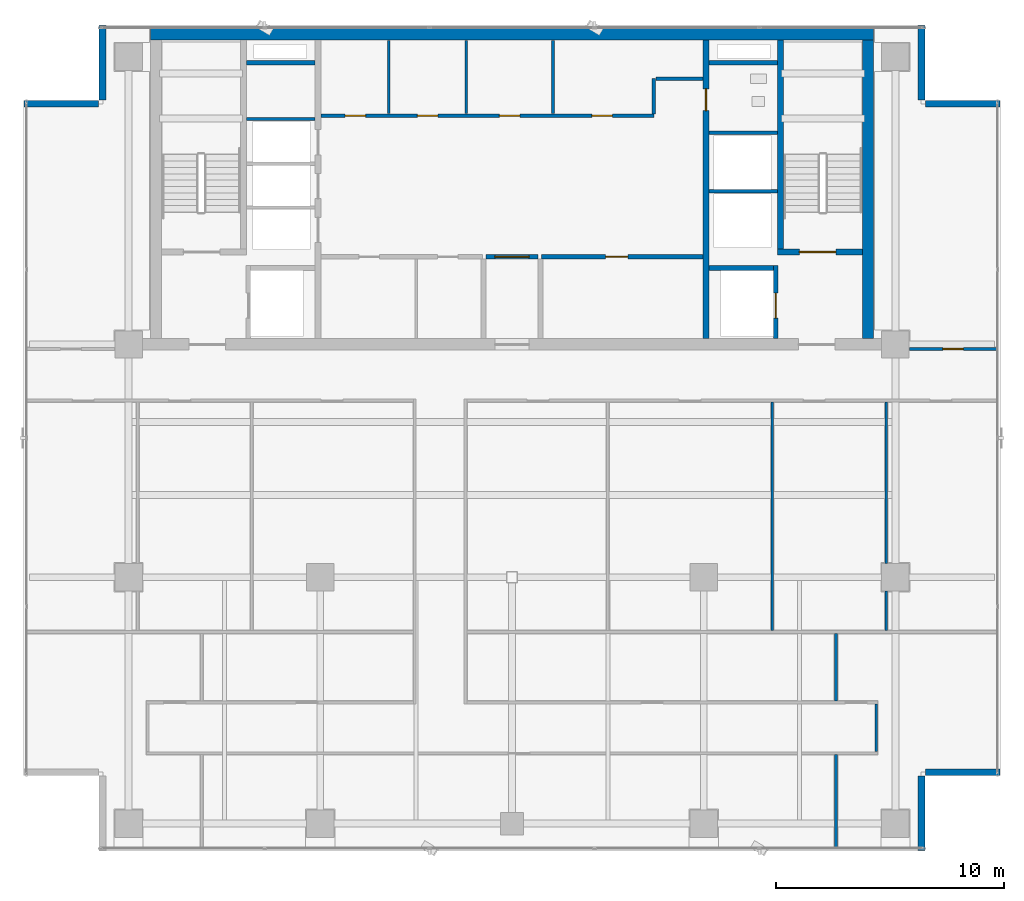
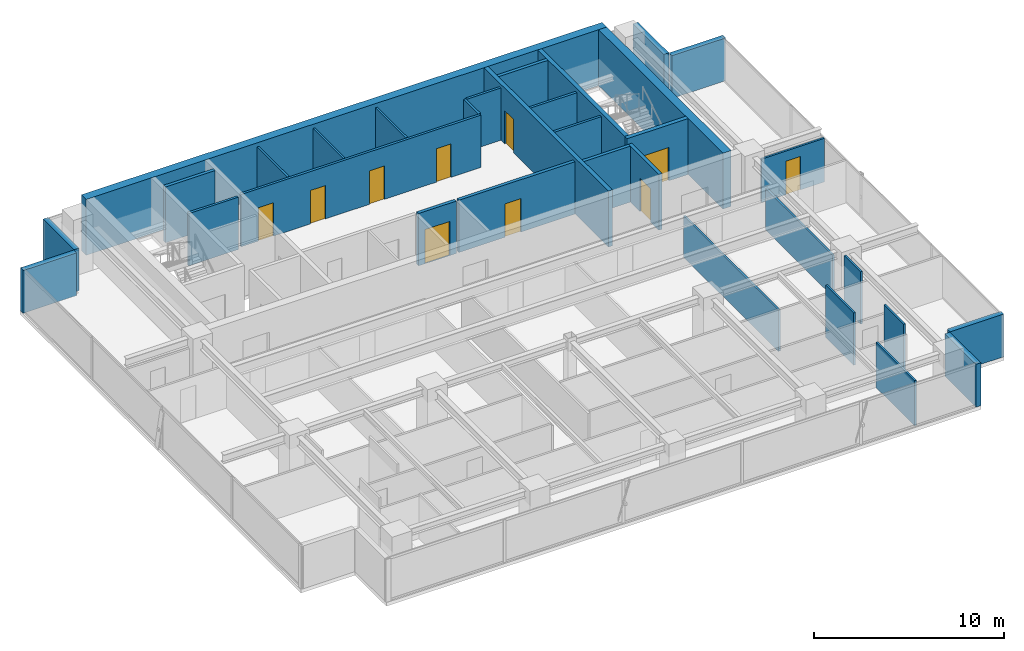
# One storey, part 17 of 23: 33 walls, 10 doors, 10 openings.
"""IFC4 building model written with IfcOpenShell, lengths in metres."""

from ifc_helpers import new_model, si_unit, direction, frame, frame_2d, origin, place, context, subcontext, project, spatial, rectangle, extrude, source, transform, mapped, material, layer, layer_set, type_object, element, fill, save


model = new_model("IFC4")

# Units and contexts
model_context = context("Model", 3, precision=1e-05, world=origin(), true_north=direction((0.0, 1.0)))
body_context = subcontext(model_context, "Body", "Model", "MODEL_VIEW")
ifc_project = project(units=[si_unit("LENGTHUNIT", "METRE"), si_unit("AREAUNIT", "SQUARE_METRE"), si_unit("VOLUMEUNIT", "CUBIC_METRE"), si_unit("PLANEANGLEUNIT", "RADIAN"), si_unit("MASSUNIT", "GRAM", prefix="KILO")], contexts=[model_context])

# Site, building, storey
site_placement = place(None, origin())
site = spatial("IfcSite", under=ifc_project, at=site_placement, CompositionType="ELEMENT")
building_placement = place(site_placement, origin())
building = spatial("IfcBuilding", under=site, at=building_placement, Name="Sumidabori Civic Tower", CompositionType="ELEMENT")
storey_placement = place(building_placement, frame((0.0, 0.0, 275.60009765625)))
storey = spatial("IfcBuildingStorey", under=building, at=storey_placement, Name="L72", CompositionType="ELEMENT", Elevation=275.60009765625)

# Walls
ifc_material_1 = material(Name="Concrete C50/60", Category="concrete")
ifc_layer_1 = layer(ifc_material_1, 0.199951171875, Name="Concrete C50/60")
ifc_layer_set_1 = layer_set([ifc_layer_1], Name="Concrete C50/60")
wall_type_1 = type_object("IfcWallType", Name="WL-SHAFT-200", PredefinedType="SHEAR", material=ifc_layer_set_1)
shared_shape_1 = source(origin(), body_context, "Body", "SweptSolid", [
    extrude(rectangle(XDim=2.824951171875, YDim=0.199951171875, at=frame_2d((1.41259765625, 0.0))), origin(), (0.0, 0.0, 1.0), 3.599853515625),
])
wall_1_placement = place(storey_placement, frame((8.625, 13.550048828125, 0.0), z_axis=(0.0, 0.0, 1.0), x_axis=(1.0, 0.0, 0.0)))
element("IfcWall", 1, at=wall_1_placement, inside=storey, type_object=wall_type_1, Name="Core Shear Wall L72 EL2-N", PredefinedType="SHEAR", context=body_context, shape_type="MappedRepresentation", body=[
    mapped(shared_shape_1, transform((0.0, 0.0, 0.0), x_axis=(1.0, 0.0, 0.0), y_axis=(0.0, 1.0, 0.0), z_axis=(0.0, 0.0, 1.0), scale=1.0)),
])
shared_shape_2 = source(origin(), body_context, "Body", "SweptSolid", [
    extrude(rectangle(XDim=3.02001953125, YDim=0.199951171875, at=frame_2d((1.510009765625, 0.0))), origin(), (0.0, 0.0, 1.0), 3.599853515625),
])
for number, where, z_axis, x_axis, name in (
    (2, (-11.64501953125, 22.550048828125, 0.0), (0.0, 0.0, 1.0), (1.0, 0.0, 0.0), "Core Shear Wall L72 RIS1-S"),
    (3, (8.625, 22.550048828125, 0.0), (0.0, 0.0, 1.0), (1.0, 0.0, 0.0), "Core Shear Wall L72 RIS2-S"),
):
    element("IfcWall", number, at=place(storey_placement, frame(where, z_axis=z_axis, x_axis=x_axis)), inside=storey, type_object=wall_type_1, Name=name, PredefinedType="SHEAR", context=body_context, shape_type="MappedRepresentation", body=[
        mapped(shared_shape_2, transform((0.0, 0.0, 0.0), x_axis=(1.0, 0.0, 0.0), y_axis=(0.0, 1.0, 0.0), z_axis=(0.0, 0.0, 1.0), scale=1.0)),
    ])
ifc_layer_2 = layer(ifc_material_1, 0.5, Name="Concrete C50/60")
ifc_layer_set_2 = layer_set([ifc_layer_2], Name="Concrete C50/60")
wall_type_2 = type_object("IfcWallType", Name="WL-CORE-500", PredefinedType="SHEAR", material=ifc_layer_set_2)
shared_shape_3 = source(origin(), body_context, "Body", "SweptSolid", [
    extrude(rectangle(XDim=31.7001953125, YDim=0.5, at=frame_2d((15.85009765625, 0.0))), origin(), (0.0, 0.0, 1.0), 3.599853515625),
])
wall_2_placement = place(storey_placement, frame((-15.85009765625, 23.800048828125, 0.0), z_axis=(0.0, 0.0, 1.0), x_axis=(1.0, 0.0, 0.0)))
element("IfcWall", 4, at=wall_2_placement, inside=storey, type_object=wall_type_2, Name="Core Shear Wall L72 N", PredefinedType="SHEAR", context=body_context, shape_type="MappedRepresentation", body=[
    mapped(shared_shape_3, transform((0.0, 0.0, 0.0), x_axis=(1.0, 0.0, 0.0), y_axis=(0.0, 1.0, 0.0), z_axis=(0.0, 0.0, 1.0), scale=1.0)),
])
shared_shape_4 = source(origin(), body_context, "Body", "SweptSolid", [
    extrude(rectangle(XDim=13.10009765625, YDim=0.5, at=frame_2d((6.550048828125, 0.0))), origin(), (0.0, 0.0, 1.0), 3.599853515625),
])
wall_3_placement = place(storey_placement, frame((15.60009765625, 10.449951171875, 0.0), z_axis=(0.0, 0.0, 1.0), x_axis=(0.0, 1.0, 0.0)))
element("IfcWall", 5, at=wall_3_placement, inside=storey, type_object=wall_type_2, Name="Core Shear Wall L72 E", PredefinedType="SHEAR", context=body_context, shape_type="MappedRepresentation", body=[
    mapped(shared_shape_4, transform((0.0, 0.0, 0.0), x_axis=(1.0, 0.0, 0.0), y_axis=(0.0, 1.0, 0.0), z_axis=(0.0, 0.0, 1.0), scale=1.0)),
])

# Wall, opening, door
ifc_layer_3 = layer(ifc_material_1, 0.25, Name="Concrete C50/60")
ifc_layer_set_3 = layer_set([ifc_layer_3], Name="Concrete C50/60")
wall_type_3 = type_object("IfcWallType", Name="WL-SHAFT-250", PredefinedType="SHEAR", material=ifc_layer_set_3)
shared_shape_5 = source(origin(), body_context, "Body", "SweptSolid", [
    extrude(rectangle(XDim=13.10009765625, YDim=0.25, at=frame_2d((6.550048828125, 0.0))), origin(), (0.0, 0.0, 1.0), 3.599853515625),
])
wall_4_placement = place(storey_placement, frame((8.5, 10.449951171875, 0.0), z_axis=(0.0, 0.0, 1.0), x_axis=(0.0, 1.0, 0.0)))
wall_4 = element("IfcWall", 6, at=wall_4_placement, inside=storey, type_object=wall_type_3, Name="Core Shear Wall L72 WEB-E", PredefinedType="SHEAR", context=body_context, shape_type="MappedRepresentation", body=[
    mapped(shared_shape_5, transform((0.0, 0.0, 0.0), x_axis=(1.0, 0.0, 0.0), y_axis=(0.0, 1.0, 0.0), z_axis=(0.0, 0.0, 1.0), scale=1.0)),
])
opening_1_placement = place(wall_4_placement, frame((10.0, 0.0, 0.0)))
opening_1 = element("IfcOpeningElement", 7, at=opening_1_placement, cuts=wall_4, Name="Opening DR-2", PredefinedType="OPENING", context=body_context, shape_type="SweptSolid", body=[
    extrude(rectangle(XDim=0.949951171875, YDim=2.14990234375, at=frame_2d((0.47509765625, 1.074951171875))), frame((0.0, 0.136962890625, 0.0), z_axis=(0.0, -1.0, 0.0), x_axis=(1.0, 0.0, 0.0)), (0.0, 0.0, 1.0), 0.27392578125),
])
ifc_material_2 = material(Name="Japanese Hinoki Timber", Category="wood")
door_type_1 = type_object("IfcDoorType", Name="DR-INT-950", OperationType="NOTDEFINED", PredefinedType="DOOR", material=ifc_material_2)
shared_shape_6 = source(origin(), body_context, "Body", "SweptSolid", [
    extrude(rectangle(XDim=0.949951171875, YDim=2.14990234375, at=frame_2d((0.47509765625, 1.074951171875))), frame((0.0, 0.02490234375, 0.0), z_axis=(0.0, -1.0, 0.0), x_axis=(1.0, 0.0, 0.0)), (0.0, 0.0, 1.0), 0.050048828125),
])
door_1_placement = place(opening_1_placement, origin())
door_1 = element("IfcDoor", 8, at=door_1_placement, inside=storey, type_object=door_type_1, Name="Door DR:L72:WC-ACC", OperationType="SINGLE_SWING_RIGHT", OverallHeight=2.14990234375, OverallWidth=0.949951171875, PredefinedType="DOOR", context=body_context, shape_type="MappedRepresentation", body=[
    mapped(shared_shape_6, transform((0.0, 0.0, 0.0), x_axis=(1.0, 0.0, 0.0), y_axis=(0.0, 1.0, 0.0), z_axis=(0.0, 0.0, 1.0), scale=1.0)),
])
fill(opening_1, door_1)

shared_shape_7 = source(origin(), body_context, "Body", "SweptSolid", [
    extrude(rectangle(XDim=3.705078125, YDim=0.25, at=frame_2d((1.8525390625, 0.0))), origin(), (0.0, 0.0, 1.0), 3.599853515625),
])
wall_5_placement = place(storey_placement, frame((11.64501953125, 14.25, 0.0), z_axis=(0.0, 0.0, 1.0), x_axis=(1.0, 0.0, 0.0)))
wall_5 = element("IfcWall", 9, at=wall_5_placement, inside=storey, type_object=wall_type_3, Name="Core Shear Wall L72 ST2-S", PredefinedType="SHEAR", context=body_context, shape_type="MappedRepresentation", body=[
    mapped(shared_shape_7, transform((0.0, 0.0, 0.0), x_axis=(1.0, 0.0, 0.0), y_axis=(0.0, 1.0, 0.0), z_axis=(0.0, 0.0, 1.0), scale=1.0)),
])
opening_2_placement = place(wall_5_placement, frame((0.949951171875, 0.0, 0.0)))
opening_2 = element("IfcOpeningElement", 10, at=opening_2_placement, cuts=wall_5, Name="Opening DR-FD4", PredefinedType="OPENING", context=body_context, shape_type="SweptSolid", body=[
    extrude(rectangle(XDim=1.60009765625, YDim=2.14990234375, at=frame_2d((0.800048828125, 1.074951171875))), frame((0.0, 0.136962890625, 0.0), z_axis=(0.0, -1.0, 0.0), x_axis=(1.0, 0.0, 0.0)), (0.0, 0.0, 1.0), 0.27392578125),
])
ifc_material_3 = material(Name="Steel SN490", Category="steel")
door_type_2 = type_object("IfcDoorType", Name="DR-FD4", OperationType="DOUBLE_DOOR_SINGLE_SWING", PredefinedType="DOOR", material=ifc_material_3)
shared_shape_8 = source(origin(), body_context, "Body", "SweptSolid", [
    extrude(rectangle(XDim=1.60009765625, YDim=2.14990234375, at=frame_2d((0.800048828125, 1.074951171875))), frame((0.0, 0.02490234375, 0.0), z_axis=(0.0, -1.0, 0.0), x_axis=(1.0, 0.0, 0.0)), (0.0, 0.0, 1.0), 0.050048828125),
])
door_2_placement = place(opening_2_placement, origin())
door_2 = element("IfcDoor", 11, at=door_2_placement, inside=storey, type_object=door_type_2, Name="Door DR:L72:ST2", OperationType="DOUBLE_DOOR_SINGLE_SWING", OverallHeight=2.14990234375, OverallWidth=1.60009765625, PredefinedType="DOOR", context=body_context, shape_type="MappedRepresentation", body=[
    mapped(shared_shape_8, transform((0.0, 0.0, 0.0), x_axis=(1.0, 0.0, 0.0), y_axis=(0.0, 1.0, 0.0), z_axis=(0.0, 0.0, 1.0), scale=1.0)),
])
fill(opening_2, door_2)

# Wall
shared_shape_9 = source(origin(), body_context, "Body", "SweptSolid", [
    extrude(rectangle(XDim=9.175048828125, YDim=0.25, at=frame_2d((4.58740234375, 0.0))), origin(), (0.0, 0.0, 1.0), 3.599853515625),
])
wall_6_placement = place(storey_placement, frame((11.77001953125, 14.375, 0.0), z_axis=(0.0, 0.0, 1.0), x_axis=(0.0, 1.0, 0.0)))
element("IfcWall", 12, at=wall_6_placement, inside=storey, type_object=wall_type_3, Name="Core Shear Wall L72 ST2-W", PredefinedType="SHEAR", context=body_context, shape_type="MappedRepresentation", body=[
    mapped(shared_shape_9, transform((0.0, 0.0, 0.0), x_axis=(1.0, 0.0, 0.0), y_axis=(0.0, 1.0, 0.0), z_axis=(0.0, 0.0, 1.0), scale=1.0)),
])

# Wall, opening, door
shared_shape_10 = source(origin(), body_context, "Body", "SweptSolid", [
    extrude(rectangle(XDim=3.199951171875, YDim=0.199951171875, at=frame_2d((1.60009765625, 0.0))), origin(), (0.0, 0.0, 1.0), 3.599853515625),
])
wall_7_placement = place(storey_placement, frame((11.550048828125, 10.449951171875, 0.0), z_axis=(0.0, 0.0, 1.0), x_axis=(0.0, 1.0, 0.0)))
wall_7 = element("IfcWall", 13, at=wall_7_placement, inside=storey, type_object=wall_type_1, Name="Core Shear Wall L72 EL2-E", PredefinedType="SHEAR", context=body_context, shape_type="MappedRepresentation", body=[
    mapped(shared_shape_10, transform((0.0, 0.0, 0.0), x_axis=(1.0, 0.0, 0.0), y_axis=(0.0, 1.0, 0.0), z_axis=(0.0, 0.0, 1.0), scale=1.0)),
])
opening_3_placement = place(wall_7_placement, frame((0.89990234375, 0.0, 0.0)))
opening_3 = element("IfcOpeningElement", 14, at=opening_3_placement, cuts=wall_7, Name="Opening LD-2", PredefinedType="OPENING", context=body_context, shape_type="SweptSolid", body=[
    extrude(rectangle(XDim=1.10009765625, YDim=2.14990234375, at=frame_2d((0.550048828125, 1.074951171875))), frame((0.0, 0.11181640625, 0.0), z_axis=(0.0, -1.0, 0.0), x_axis=(1.0, 0.0, 0.0)), (0.0, 0.0, 1.0), 0.223876953125),
])
ifc_material_4 = material(Name="Stainless Steel Hairline Finish", Category="steel")
door_type_3 = type_object("IfcDoorType", Name="DR-LD2", OperationType="DOUBLE_DOOR_SLIDING", PredefinedType="DOOR", material=ifc_material_4)
shared_shape_11 = source(origin(), body_context, "Body", "SweptSolid", [
    extrude(rectangle(XDim=1.10009765625, YDim=2.14990234375, at=frame_2d((0.550048828125, 1.074951171875))), frame((0.0, 0.02490234375, 0.0), z_axis=(0.0, -1.0, 0.0), x_axis=(1.0, 0.0, 0.0)), (0.0, 0.0, 1.0), 0.050048828125),
])
door_3_placement = place(opening_3_placement, origin())
door_3 = element("IfcDoor", 15, at=door_3_placement, inside=storey, type_object=door_type_3, Name="Door DR:L72:LD-EL2", OperationType="DOUBLE_DOOR_SLIDING", OverallHeight=2.14990234375, OverallWidth=1.10009765625, PredefinedType="DOOR", context=body_context, shape_type="MappedRepresentation", body=[
    mapped(shared_shape_11, transform((0.0, 0.0, 0.0), x_axis=(1.0, 0.0, 0.0), y_axis=(0.0, 1.0, 0.0), z_axis=(0.0, 0.0, 1.0), scale=1.0)),
])
fill(opening_3, door_3)

# Walls
ifc_material_5 = material(Name="Precast concrete C40/50", Category="concrete")
ifc_layer_4 = layer(ifc_material_5, 0.300048828125, Name="Precast concrete C40/50")
ifc_layer_set_4 = layer_set([ifc_layer_4], Name="Precast concrete C40/50")
wall_type_4 = type_object("IfcWallType", Name="WL-EXT-POD300", PredefinedType="STANDARD", material=ifc_layer_set_4)
shared_shape_12 = source(origin(), body_context, "Body", "SweptSolid", [
    extrude(rectangle(XDim=3.260009765625, YDim=0.300048828125, at=frame_2d((1.6298828125, 0.0))), origin(), (0.0, 0.0, 1.0), 2.75),
])
for number, where, z_axis, x_axis, name in (
    (16, (17.949951171875, -11.97998046875, 0.0), (0.0, 0.0, 1.0), (0.0, 1.0, 0.0), "Notched Corner Spandrel Band L72-02"),
    (17, (17.949951171875, 20.919921875, 0.0), (0.0, 0.0, 1.0), (0.0, 1.0, 0.0), "Notched Corner Spandrel Band L72-06"),
    (18, (-17.949951171875, 24.179931640625, 0.0), (0.0, 0.0, 1.0), (0.0, -1.0, 0.0), "Notched Corner Spandrel Band L72-08"),
):
    element("IfcWall", number, at=place(storey_placement, frame(where, z_axis=z_axis, x_axis=x_axis)), inside=storey, type_object=wall_type_4, Name=name, PredefinedType="STANDARD", context=body_context, shape_type="MappedRepresentation", body=[
        mapped(shared_shape_12, transform((0.0, 0.0, 0.0), x_axis=(1.0, 0.0, 0.0), y_axis=(0.0, 1.0, 0.0), z_axis=(0.0, 0.0, 1.0), scale=1.0)),
    ])
shared_shape_13 = source(origin(), body_context, "Body", "SweptSolid", [
    extrude(rectangle(XDim=3.259765625, YDim=0.300048828125, at=frame_2d((1.6298828125, 0.0))), origin(), (0.0, 0.0, 1.0), 2.75),
])
for number, where, z_axis, x_axis, name in (
    (19, (18.1201171875, -8.550048828125, 0.0), (0.0, 0.0, 1.0), (1.0, 0.0, 0.0), "Notched Corner Spandrel Band L72-03"),
    (20, (21.3798828125, 20.75, 0.0), (0.0, 0.0, 1.0), (-1.0, 0.0, 0.0), "Notched Corner Spandrel Band L72-05"),
    (21, (-18.1201171875, 20.75, 0.0), (0.0, 0.0, 1.0), (-1.0, 0.0, 0.0), "Notched Corner Spandrel Band L72-09"),
):
    element("IfcWall", number, at=place(storey_placement, frame(where, z_axis=z_axis, x_axis=x_axis)), inside=storey, type_object=wall_type_4, Name=name, PredefinedType="STANDARD", context=body_context, shape_type="MappedRepresentation", body=[
        mapped(shared_shape_13, transform((0.0, 0.0, 0.0), x_axis=(1.0, 0.0, 0.0), y_axis=(0.0, 1.0, 0.0), z_axis=(0.0, 0.0, 1.0), scale=1.0)),
    ])
ifc_material_6 = material(Name="Gypsum Plasterboard Acoustic Partition")
ifc_layer_5 = layer(ifc_material_6, 0.14990234375, Name="Gypsum Plasterboard Acoustic Partition")
ifc_layer_set_5 = layer_set([ifc_layer_5], Name="Gypsum Plasterboard Acoustic Partition")
wall_type_5 = type_object("IfcWallType", Name="WL-PART-150", PredefinedType="PARTITIONING", material=ifc_layer_set_5)
shared_shape_14 = source(origin(), body_context, "Body", "SweptSolid", [
    extrude(rectangle(XDim=3.010009765625, YDim=0.14990234375, at=frame_2d((1.5048828125, 0.0))), origin(), (0.0, 0.0, 1.0), 3.369873046875),
])
for number, where, z_axis, x_axis, name in (
    (22, (-11.639892578125, 20.080078125, 0.0), (0.0, 0.0, 1.0), (1.0, 0.0, 0.0), "Interior Partition WL:L72:DIV-PLH3"),
    (23, (8.6298828125, 16.919921875, 0.0), (0.0, 0.0, 1.0), (1.0, 0.0, 0.0), "Interior Partition WL:L72:DIV-OBS1"),
    (24, (8.6298828125, 19.469970703125, 0.0), (0.0, 0.0, 1.0), (1.0, 0.0, 0.0), "Interior Partition WL:L72:DIV-OBS2"),
):
    element("IfcWall", number, at=place(storey_placement, frame(where, z_axis=z_axis, x_axis=x_axis)), inside=storey, type_object=wall_type_5, Name=name, PredefinedType="PARTITIONING", context=body_context, shape_type="MappedRepresentation", body=[
        mapped(shared_shape_14, transform((0.0, 0.0, 0.0), x_axis=(1.0, 0.0, 0.0), y_axis=(0.0, 1.0, 0.0), z_axis=(0.0, 0.0, 1.0), scale=1.0)),
    ])

# Wall, opening, door
ifc_material_7 = material(Name="Gypsum Plasterboard Fire Partition")
ifc_layer_6 = layer(ifc_material_7, 0.199951171875, Name="Gypsum Plasterboard Fire Partition")
ifc_layer_set_6 = layer_set([ifc_layer_6], Name="Gypsum Plasterboard Fire Partition")
wall_type_6 = type_object("IfcWallType", Name="WL-PART-FIRE", PredefinedType="PARTITIONING", material=ifc_layer_set_6)
shared_shape_15 = source(origin(), body_context, "Body", "SweptSolid", [
    extrude(rectangle(XDim=7.070068359375, YDim=0.199951171875, at=frame_2d((3.53515625, 0.0))), origin(), (0.0, 0.0, 1.0), 3.369873046875),
])
wall_8_placement = place(storey_placement, frame((1.300048828125, 14.050048828125, 0.0), z_axis=(0.0, 0.0, 1.0), x_axis=(1.0, 0.0, 0.0)))
wall_8 = element("IfcWall", 25, at=wall_8_placement, inside=storey, type_object=wall_type_6, Name="Interior Partition WL:L72:CBAND-SE", PredefinedType="PARTITIONING", context=body_context, shape_type="MappedRepresentation", body=[
    mapped(shared_shape_15, transform((0.0, 0.0, 0.0), x_axis=(1.0, 0.0, 0.0), y_axis=(0.0, 1.0, 0.0), z_axis=(0.0, 0.0, 1.0), scale=1.0)),
])
opening_4_placement = place(wall_8_placement, frame((2.800048828125, 0.0, 0.0)))
opening_4 = element("IfcOpeningElement", 26, at=opening_4_placement, cuts=wall_8, Name="Opening DR-3", PredefinedType="OPENING", context=body_context, shape_type="SweptSolid", body=[
    extrude(rectangle(XDim=0.97998046875, YDim=2.14990234375, at=frame_2d((0.489990234375, 1.074951171875))), frame((0.0, 0.11181640625, 0.0), z_axis=(0.0, -1.0, 0.0), x_axis=(1.0, 0.0, 0.0)), (0.0, 0.0, 1.0), 0.223876953125),
])
door_type_4 = type_object("IfcDoorType", Name="DR-INT-980", OperationType="NOTDEFINED", PredefinedType="DOOR", material=ifc_material_2)
shared_shape_16 = source(origin(), body_context, "Body", "SweptSolid", [
    extrude(rectangle(XDim=0.97998046875, YDim=2.14990234375, at=frame_2d((0.489990234375, 1.074951171875))), frame((0.0, 0.02490234375, 0.0), z_axis=(0.0, -1.0, 0.0), x_axis=(1.0, 0.0, 0.0)), (0.0, 0.0, 1.0), 0.050048828125),
])
door_4_placement = place(opening_4_placement, origin())
door_4 = element("IfcDoor", 27, at=door_4_placement, inside=storey, type_object=door_type_4, Name="Door DR:L72:REC-B2", OperationType="SINGLE_SWING_RIGHT", OverallHeight=2.14990234375, OverallWidth=0.97998046875, PredefinedType="DOOR", context=body_context, shape_type="MappedRepresentation", body=[
    mapped(shared_shape_16, transform((0.0, 0.0, 0.0), x_axis=(1.0, 0.0, 0.0), y_axis=(0.0, 1.0, 0.0), z_axis=(0.0, 0.0, 1.0), scale=1.0)),
])
fill(opening_4, door_4)

shared_shape_17 = source(origin(), body_context, "Body", "SweptSolid", [
    extrude(rectangle(XDim=2.2998046875, YDim=0.199951171875, at=frame_2d((1.14990234375, 0.0))), origin(), (0.0, 0.0, 1.0), 3.369873046875),
])
wall_9_placement = place(storey_placement, frame((-1.14990234375, 14.050048828125, 0.0), z_axis=(0.0, 0.0, 1.0), x_axis=(1.0, 0.0, 0.0)))
wall_9 = element("IfcWall", 28, at=wall_9_placement, inside=storey, type_object=wall_type_6, Name="Interior Partition WL:L72:THROAT-N", PredefinedType="PARTITIONING", context=body_context, shape_type="MappedRepresentation", body=[
    mapped(shared_shape_17, transform((0.0, 0.0, 0.0), x_axis=(1.0, 0.0, 0.0), y_axis=(0.0, 1.0, 0.0), z_axis=(0.0, 0.0, 1.0), scale=1.0)),
])
opening_5_placement = place(wall_9_placement, frame((0.39990234375, 0.0, 0.0)))
opening_5 = element("IfcOpeningElement", 29, at=opening_5_placement, cuts=wall_9, Name="Opening DR-FD3", PredefinedType="OPENING", context=body_context, shape_type="SweptSolid", body=[
    extrude(rectangle(XDim=1.5, YDim=2.199951171875, at=frame_2d((0.75, 1.10009765625))), frame((0.0, 0.11181640625, 0.0), z_axis=(0.0, -1.0, 0.0), x_axis=(1.0, 0.0, 0.0)), (0.0, 0.0, 1.0), 0.223876953125),
])
door_type_5 = type_object("IfcDoorType", Name="DR-FD-DBL", OperationType="DOUBLE_DOOR_SINGLE_SWING", PredefinedType="DOOR", material=ifc_material_3)
shared_shape_18 = source(origin(), body_context, "Body", "SweptSolid", [
    extrude(rectangle(XDim=1.5, YDim=2.199951171875, at=frame_2d((0.75, 1.10009765625))), frame((0.0, 0.02490234375, 0.0), z_axis=(0.0, -1.0, 0.0), x_axis=(1.0, 0.0, 0.0)), (0.0, 0.0, 1.0), 0.050048828125),
])
door_5_placement = place(opening_5_placement, origin())
door_5 = element("IfcDoor", 30, at=door_5_placement, inside=storey, type_object=door_type_5, Name="Door DR:L72:THROAT-IN", OperationType="DOUBLE_DOOR_SINGLE_SWING", OverallHeight=2.199951171875, OverallWidth=1.5, PredefinedType="DOOR", context=body_context, shape_type="MappedRepresentation", body=[
    mapped(shared_shape_18, transform((0.0, 0.0, 0.0), x_axis=(1.0, 0.0, 0.0), y_axis=(0.0, 1.0, 0.0), z_axis=(0.0, 0.0, 1.0), scale=1.0)),
])
fill(opening_5, door_5)

# Wall, openings, doors
shared_shape_19 = source(origin(), body_context, "Body", "SweptSolid", [
    extrude(rectangle(XDim=14.590087890625, YDim=0.14990234375, at=frame_2d((7.294921875, 0.0))), origin(), (0.0, 0.0, 1.0), 3.369873046875),
])
wall_10_placement = place(storey_placement, frame((-8.3701171875, 20.219970703125, 0.0), z_axis=(0.0, 0.0, 1.0), x_axis=(1.0, 0.0, 0.0)))
wall_10 = element("IfcWall", 31, at=wall_10_placement, inside=storey, type_object=wall_type_5, Name="Interior Partition WL:L72:CBAND-M", PredefinedType="PARTITIONING", context=body_context, shape_type="MappedRepresentation", body=[
    mapped(shared_shape_19, transform((0.0, 0.0, 0.0), x_axis=(1.0, 0.0, 0.0), y_axis=(0.0, 1.0, 0.0), z_axis=(0.0, 0.0, 1.0), scale=1.0)),
])
opening_6_placement = place(wall_10_placement, frame((1.06005859375, 0.0, 0.0)))
opening_6 = element("IfcOpeningElement", 32, at=opening_6_placement, cuts=wall_10, Name="Opening DR-1", PredefinedType="OPENING", context=body_context, shape_type="SweptSolid", body=[
    extrude(rectangle(XDim=0.89990234375, YDim=2.14990234375, at=frame_2d((0.449951171875, 1.074951171875))), frame((0.0, 0.0869140625, 0.0), z_axis=(0.0, -1.0, 0.0), x_axis=(1.0, 0.0, 0.0)), (0.0, 0.0, 1.0), 0.173828125),
])
opening_7_placement = place(wall_10_placement, frame((4.219970703125, 0.0, 0.0)))
opening_7 = element("IfcOpeningElement", 33, at=opening_7_placement, cuts=wall_10, Name="Opening DR-1", PredefinedType="OPENING", context=body_context, shape_type="SweptSolid", body=[
    extrude(rectangle(XDim=0.89990234375, YDim=2.14990234375, at=frame_2d((0.449951171875, 1.074951171875))), frame((0.0, 0.0869140625, 0.0), z_axis=(0.0, -1.0, 0.0), x_axis=(1.0, 0.0, 0.0)), (0.0, 0.0, 1.0), 0.173828125),
])
opening_8_placement = place(wall_10_placement, frame((7.820068359375, 0.0, 0.0)))
opening_8 = element("IfcOpeningElement", 34, at=opening_8_placement, cuts=wall_10, Name="Opening DR-1", PredefinedType="OPENING", context=body_context, shape_type="SweptSolid", body=[
    extrude(rectangle(XDim=0.89990234375, YDim=2.14990234375, at=frame_2d((0.449951171875, 1.074951171875))), frame((0.0, 0.0869140625, 0.0), z_axis=(0.0, -1.0, 0.0), x_axis=(1.0, 0.0, 0.0)), (0.0, 0.0, 1.0), 0.173828125),
])
opening_9_placement = place(wall_10_placement, frame((11.8701171875, 0.0, 0.0)))
opening_9 = element("IfcOpeningElement", 35, at=opening_9_placement, cuts=wall_10, Name="Opening DR-1", PredefinedType="OPENING", context=body_context, shape_type="SweptSolid", body=[
    extrude(rectangle(XDim=0.89990234375, YDim=2.14990234375, at=frame_2d((0.449951171875, 1.074951171875))), frame((0.0, 0.0869140625, 0.0), z_axis=(0.0, -1.0, 0.0), x_axis=(1.0, 0.0, 0.0)), (0.0, 0.0, 1.0), 0.173828125),
])
door_type_6 = type_object("IfcDoorType", Name="DR-INT-900", OperationType="NOTDEFINED", PredefinedType="DOOR", material=ifc_material_2)
shared_shape_20 = source(origin(), body_context, "Body", "SweptSolid", [
    extrude(rectangle(XDim=0.89990234375, YDim=2.14990234375, at=frame_2d((0.449951171875, 1.074951171875))), frame((0.0, 0.02490234375, 0.0), z_axis=(0.0, -1.0, 0.0), x_axis=(1.0, 0.0, 0.0)), (0.0, 0.0, 1.0), 0.050048828125),
])
door_6_placement = place(opening_6_placement, origin())
door_6 = element("IfcDoor", 36, at=door_6_placement, inside=storey, type_object=door_type_6, Name="Door DR:L72:CB-1", OperationType="SINGLE_SWING_LEFT", OverallHeight=2.14990234375, OverallWidth=0.89990234375, PredefinedType="DOOR", context=body_context, shape_type="MappedRepresentation", body=[
    mapped(shared_shape_20, transform((0.0, 0.0, 0.0), x_axis=(1.0, 0.0, 0.0), y_axis=(0.0, 1.0, 0.0), z_axis=(0.0, 0.0, 1.0), scale=1.0)),
])
fill(opening_6, door_6)
door_7_placement = place(opening_7_placement, origin())
door_7 = element("IfcDoor", 37, at=door_7_placement, inside=storey, type_object=door_type_6, Name="Door DR:L72:CB-2", OperationType="SINGLE_SWING_RIGHT", OverallHeight=2.14990234375, OverallWidth=0.89990234375, PredefinedType="DOOR", context=body_context, shape_type="MappedRepresentation", body=[
    mapped(shared_shape_20, transform((0.0, 0.0, 0.0), x_axis=(1.0, 0.0, 0.0), y_axis=(0.0, 1.0, 0.0), z_axis=(0.0, 0.0, 1.0), scale=1.0)),
])
fill(opening_7, door_7)
door_8_placement = place(opening_8_placement, origin())
door_8 = element("IfcDoor", 38, at=door_8_placement, inside=storey, type_object=door_type_6, Name="Door DR:L72:CB-3", OperationType="SINGLE_SWING_LEFT", OverallHeight=2.14990234375, OverallWidth=0.89990234375, PredefinedType="DOOR", context=body_context, shape_type="MappedRepresentation", body=[
    mapped(shared_shape_20, transform((0.0, 0.0, 0.0), x_axis=(1.0, 0.0, 0.0), y_axis=(0.0, 1.0, 0.0), z_axis=(0.0, 0.0, 1.0), scale=1.0)),
])
fill(opening_8, door_8)
door_9_placement = place(opening_9_placement, origin())
door_9 = element("IfcDoor", 39, at=door_9_placement, inside=storey, type_object=door_type_6, Name="Door DR:L72:CB-4", OperationType="SINGLE_SWING_RIGHT", OverallHeight=2.14990234375, OverallWidth=0.89990234375, PredefinedType="DOOR", context=body_context, shape_type="MappedRepresentation", body=[
    mapped(shared_shape_20, transform((0.0, 0.0, 0.0), x_axis=(1.0, 0.0, 0.0), y_axis=(0.0, 1.0, 0.0), z_axis=(0.0, 0.0, 1.0), scale=1.0)),
])
fill(opening_9, door_9)

# Walls
shared_shape_21 = source(origin(), body_context, "Body", "SweptSolid", [
    extrude(rectangle(XDim=1.550048828125, YDim=0.14990234375, at=frame_2d((0.77490234375, 0.0))), origin(), (0.0, 0.0, 1.0), 3.369873046875),
])
wall_11_placement = place(storey_placement, frame((6.219970703125, 20.300048828125, 0.0), z_axis=(0.0, 0.0, 1.0), x_axis=(0.0, 1.0, 0.0)))
element("IfcWall", 40, at=wall_11_placement, inside=storey, type_object=wall_type_5, Name="Interior Partition WL:L72:CBAND-ME1", PredefinedType="PARTITIONING", context=body_context, shape_type="MappedRepresentation", body=[
    mapped(shared_shape_21, transform((0.0, 0.0, 0.0), x_axis=(1.0, 0.0, 0.0), y_axis=(0.0, 1.0, 0.0), z_axis=(0.0, 0.0, 1.0), scale=1.0)),
])
shared_shape_22 = source(origin(), body_context, "Body", "SweptSolid", [
    extrude(rectangle(XDim=2.070068359375, YDim=0.14990234375, at=frame_2d((1.03515625, 0.0))), origin(), (0.0, 0.0, 1.0), 3.369873046875),
])
wall_12_placement = place(storey_placement, frame((6.300048828125, 21.85009765625, 0.0), z_axis=(0.0, 0.0, 1.0), x_axis=(1.0, 0.0, 0.0)))
element("IfcWall", 41, at=wall_12_placement, inside=storey, type_object=wall_type_5, Name="Interior Partition WL:L72:CBAND-ME2", PredefinedType="PARTITIONING", context=body_context, shape_type="MappedRepresentation", body=[
    mapped(shared_shape_22, transform((0.0, 0.0, 0.0), x_axis=(1.0, 0.0, 0.0), y_axis=(0.0, 1.0, 0.0), z_axis=(0.0, 0.0, 1.0), scale=1.0)),
])
ifc_layer_7 = layer(ifc_material_6, 0.1201171875, Name="Gypsum Plasterboard Acoustic Partition")
ifc_layer_set_7 = layer_set([ifc_layer_7], Name="Gypsum Plasterboard Acoustic Partition")
wall_type_7 = type_object("IfcWallType", Name="WL-PART-120", PredefinedType="PARTITIONING", material=ifc_layer_set_7)
shared_shape_23 = source(origin(), body_context, "Body", "SweptSolid", [
    extrude(rectangle(XDim=3.18994140625, YDim=0.1201171875, at=frame_2d((1.594970703125, 0.0))), origin(), (0.0, 0.0, 1.0), 3.369873046875),
])
for number, where, z_axis, x_axis, name in (
    (42, (-5.39990234375, 20.320068359375, 0.0), (0.0, 0.0, 1.0), (0.0, 1.0, 0.0), "Interior Partition WL:L72:LV8-S1"),
    (43, (-2.0, 20.320068359375, 0.0), (0.0, 0.0, 1.0), (0.0, 1.0, 0.0), "Interior Partition WL:L72:LV8-S2"),
    (44, (1.800048828125, 20.320068359375, 0.0), (0.0, 0.0, 1.0), (0.0, 1.0, 0.0), "Interior Partition WL:L72:LV8-S3"),
):
    element("IfcWall", number, at=place(storey_placement, frame(where, z_axis=z_axis, x_axis=x_axis)), inside=storey, type_object=wall_type_7, Name=name, PredefinedType="PARTITIONING", context=body_context, shape_type="MappedRepresentation", body=[
        mapped(shared_shape_23, transform((0.0, 0.0, 0.0), x_axis=(1.0, 0.0, 0.0), y_axis=(0.0, 1.0, 0.0), z_axis=(0.0, 0.0, 1.0), scale=1.0)),
    ])

# Wall, opening, door
shared_shape_24 = source(origin(), body_context, "Body", "SweptSolid", [
    extrude(rectangle(XDim=3.840087890625, YDim=0.1201171875, at=frame_2d((1.919921875, 0.0))), origin(), (0.0, 0.0, 1.0), 2.804931640625),
])
wall_13_placement = place(storey_placement, frame((17.409912109375, 10.0, 0.0), z_axis=(0.0, 0.0, 1.0), x_axis=(1.0, 0.0, 0.0)))
wall_13 = element("IfcWall", 45, at=wall_13_placement, inside=storey, type_object=wall_type_7, Name="Interior Partition WL:L72:FLK-NE", PredefinedType="PARTITIONING", context=body_context, shape_type="MappedRepresentation", body=[
    mapped(shared_shape_24, transform((0.0, 0.0, 0.0), x_axis=(1.0, 0.0, 0.0), y_axis=(0.0, 1.0, 0.0), z_axis=(0.0, 0.0, 1.0), scale=1.0)),
])
opening_10_placement = place(wall_13_placement, frame((1.469970703125, 0.0, 0.0)))
opening_10 = element("IfcOpeningElement", 46, at=opening_10_placement, cuts=wall_13, Name="Opening DR-1", PredefinedType="OPENING", context=body_context, shape_type="SweptSolid", body=[
    extrude(rectangle(XDim=0.89990234375, YDim=2.14990234375, at=frame_2d((0.449951171875, 1.074951171875))), frame((0.0, 0.072021484375, 0.0), z_axis=(0.0, -1.0, 0.0), x_axis=(1.0, 0.0, 0.0)), (0.0, 0.0, 1.0), 0.14404296875),
])
door_10_placement = place(opening_10_placement, origin())
door_10 = element("IfcDoor", 47, at=door_10_placement, inside=storey, type_object=door_type_6, Name="Door DR:L72:FLK-NE", OperationType="SINGLE_SWING_RIGHT", OverallHeight=2.14990234375, OverallWidth=0.89990234375, PredefinedType="DOOR", context=body_context, shape_type="MappedRepresentation", body=[
    mapped(shared_shape_20, transform((0.0, 0.0, 0.0), x_axis=(1.0, 0.0, 0.0), y_axis=(0.0, 1.0, 0.0), z_axis=(0.0, 0.0, 1.0), scale=1.0)),
])
fill(opening_10, door_10)

# Walls
shared_shape_25 = source(origin(), body_context, "Body", "SweptSolid", [
    extrude(rectangle(XDim=2.090087890625, YDim=0.1201171875, at=frame_2d((1.044921875, 0.0))), origin(), (0.0, 0.0, 1.0), 3.369873046875),
])
wall_14_placement = place(storey_placement, frame((15.9599609375, -7.64501953125, 0.0), z_axis=(0.0, 0.0, 1.0), x_axis=(0.0, 1.0, 0.0)))
element("IfcWall", 48, at=wall_14_placement, inside=storey, type_object=wall_type_7, Name="Interior Partition WL:L72:CORR-VSE", PredefinedType="PARTITIONING", context=body_context, shape_type="MappedRepresentation", body=[
    mapped(shared_shape_25, transform((0.0, 0.0, 0.0), x_axis=(1.0, 0.0, 0.0), y_axis=(0.0, 1.0, 0.0), z_axis=(0.0, 0.0, 1.0), scale=1.0)),
])
shared_shape_26 = source(origin(), body_context, "Body", "SweptSolid", [
    extrude(rectangle(XDim=1.724853515625, YDim=0.1201171875, at=frame_2d((0.8623046875, 0.0))), origin(), (0.0, 0.0, 1.0), 3.369873046875),
])
wall_15_placement = place(storey_placement, frame((16.39990234375, -2.3349609375, 0.0), z_axis=(0.0, 0.0, 1.0), x_axis=(0.0, 1.0, 0.0)))
element("IfcWall", 49, at=wall_15_placement, inside=storey, type_object=wall_type_7, Name="Interior Partition WL:L72:VX-N5-1", PredefinedType="PARTITIONING", context=body_context, shape_type="MappedRepresentation", body=[
    mapped(shared_shape_26, transform((0.0, 0.0, 0.0), x_axis=(1.0, 0.0, 0.0), y_axis=(0.0, 1.0, 0.0), z_axis=(0.0, 0.0, 1.0), scale=1.0)),
])
shared_shape_27 = source(origin(), body_context, "Body", "SweptSolid", [
    extrude(rectangle(XDim=7.06494140625, YDim=0.1201171875, at=frame_2d((3.532470703125, 0.0))), origin(), (0.0, 0.0, 1.0), 2.65478515625),
])
wall_16_placement = place(storey_placement, frame((16.39990234375, 0.610107421875, 0.0), z_axis=(0.0, 0.0, 1.0), x_axis=(0.0, 1.0, 0.0)))
element("IfcWall", 50, at=wall_16_placement, inside=storey, type_object=wall_type_7, Name="Interior Partition WL:L72:VX-N5-2", PredefinedType="PARTITIONING", context=body_context, shape_type="MappedRepresentation", body=[
    mapped(shared_shape_27, transform((0.0, 0.0, 0.0), x_axis=(1.0, 0.0, 0.0), y_axis=(0.0, 1.0, 0.0), z_axis=(0.0, 0.0, 1.0), scale=1.0)),
])
shared_shape_28 = source(origin(), body_context, "Body", "SweptSolid", [
    extrude(rectangle(XDim=10.010009765625, YDim=0.1201171875, at=frame_2d((5.0048828125, 0.0))), origin(), (0.0, 0.0, 1.0), 2.65478515625),
])
wall_17_placement = place(storey_placement, frame((11.39990234375, -2.3349609375, 0.0), z_axis=(0.0, 0.0, 1.0), x_axis=(0.0, 1.0, 0.0)))
element("IfcWall", 51, at=wall_17_placement, inside=storey, type_object=wall_type_7, Name="Interior Partition WL:L72:VX-N4", PredefinedType="PARTITIONING", context=body_context, shape_type="MappedRepresentation", body=[
    mapped(shared_shape_28, transform((0.0, 0.0, 0.0), x_axis=(1.0, 0.0, 0.0), y_axis=(0.0, 1.0, 0.0), z_axis=(0.0, 0.0, 1.0), scale=1.0)),
])
shared_shape_29 = source(origin(), body_context, "Body", "SweptSolid", [
    extrude(rectangle(XDim=4.0751953125, YDim=0.1201171875, at=frame_2d((2.03759765625, 0.0))), origin(), (0.0, 0.0, 1.0), 2.90478515625),
])
wall_18_placement = place(storey_placement, frame((14.199951171875, -11.85009765625, 0.0), z_axis=(0.0, 0.0, 1.0), x_axis=(0.0, 1.0, 0.0)))
element("IfcWall", 52, at=wall_18_placement, inside=storey, type_object=wall_type_7, Name="Interior Partition WL:L72:VX-S2-1", PredefinedType="PARTITIONING", context=body_context, shape_type="MappedRepresentation", body=[
    mapped(shared_shape_29, transform((0.0, 0.0, 0.0), x_axis=(1.0, 0.0, 0.0), y_axis=(0.0, 1.0, 0.0), z_axis=(0.0, 0.0, 1.0), scale=1.0)),
])
shared_shape_30 = source(origin(), body_context, "Body", "SweptSolid", [
    extrude(rectangle(XDim=2.9599609375, YDim=0.1201171875, at=frame_2d((1.47998046875, 0.0))), origin(), (0.0, 0.0, 1.0), 3.369873046875),
])
wall_19_placement = place(storey_placement, frame((14.199951171875, -5.425048828125, 0.0), z_axis=(0.0, 0.0, 1.0), x_axis=(0.0, 1.0, 0.0)))
element("IfcWall", 53, at=wall_19_placement, inside=storey, type_object=wall_type_7, Name="Interior Partition WL:L72:VX-S2-2", PredefinedType="PARTITIONING", context=body_context, shape_type="MappedRepresentation", body=[
    mapped(shared_shape_30, transform((0.0, 0.0, 0.0), x_axis=(1.0, 0.0, 0.0), y_axis=(0.0, 1.0, 0.0), z_axis=(0.0, 0.0, 1.0), scale=1.0)),
])

save(model, "model.ifc")
